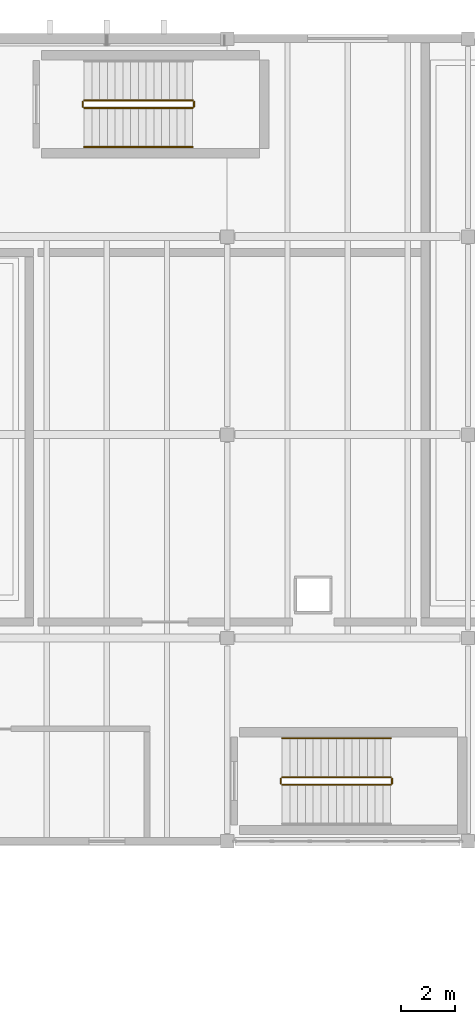
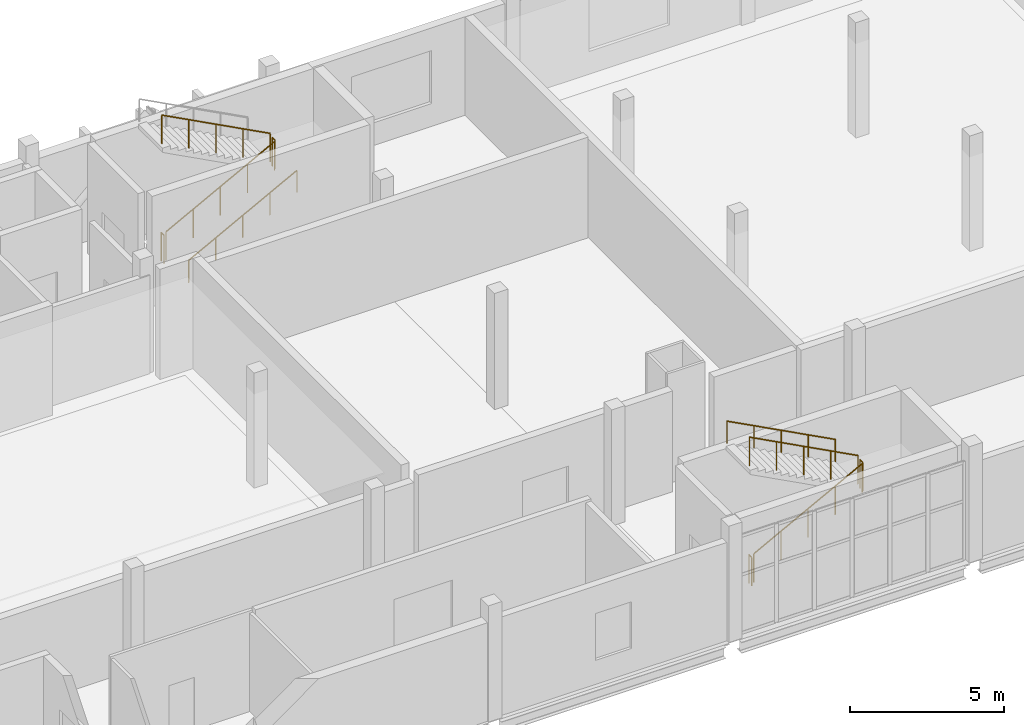
# One storey, part 73 of 74: 10 railings.
"""IFC4 building model written with IfcOpenShell, lengths in metres."""

from ifc_helpers import new_model, si_unit, direction, frame, origin, origin_2d, place, context, subcontext, project, spatial, circle, extrude, material, type_object, element, save


model = new_model("IFC4")

# Units and contexts
model_context = context("Model", 3, precision=1e-05, world=origin(), true_north=direction((0.0, 1.0)))
body_context = subcontext(model_context, "Body", "Model", "MODEL_VIEW")
ifc_project = project(units=[si_unit("LENGTHUNIT", "METRE"), si_unit("AREAUNIT", "SQUARE_METRE"), si_unit("VOLUMEUNIT", "CUBIC_METRE"), si_unit("PLANEANGLEUNIT", "RADIAN"), si_unit("MASSUNIT", "GRAM", prefix="KILO")], contexts=[model_context])

# Site, building, storey
site_placement = place(None, origin())
site = spatial("IfcSite", under=ifc_project, at=site_placement, CompositionType="ELEMENT")
building_placement = place(site_placement, origin())
building = spatial("IfcBuilding", under=site, at=building_placement, Name="Shengluoqiao Park Theatre", CompositionType="ELEMENT")
storey_placement = place(building_placement, frame((0.0, 0.0, 14.60009765625)))
storey = spatial("IfcBuildingStorey", under=building, at=storey_placement, Name="L03", CompositionType="ELEMENT", Elevation=14.60009765625)

# Railings
ifc_material_1 = material(Name="Painted steel", Category="steel")
railing_type_1 = type_object("IfcRailingType", Name="INT-RL-STGRD", PredefinedType="GUARDRAIL", material=ifc_material_1)
railing_1_placement = place(storey_placement, frame((134.050048828125, 111.409912109375, 0.1533203125)))
element("IfcRailing", 1, at=railing_1_placement, inside=storey, type_object=railing_type_1, Name="L03 ST-06 stair guard 1", PredefinedType="GUARDRAIL", context=body_context, shape_type="SweptSolid", body=[
    extrude(circle(Radius=0.02392578125, at=origin_2d()), frame((0.0, 0.0, 1.1259765625), z_axis=(0.884054148832, 0.0, 0.467384490471), x_axis=(0.0, 1.0, 0.0)), (0.0, 0.0, 1.0), 4.592529296875),
    extrude(circle(Radius=0.02099609375, at=origin_2d()), origin(), (0.0, 0.0, 1.0), 1.101806640625),
    extrude(circle(Radius=0.02099609375, at=origin_2d()), frame((1.01513671875, 0.0, 0.53662109375)), (0.0, 0.0, 1.0), 1.101806640625),
    extrude(circle(Radius=0.02099609375, at=origin_2d()), frame((2.030029296875, 0.0, 1.0732421875)), (0.0, 0.0, 1.0), 1.101806640625),
    extrude(circle(Radius=0.02099609375, at=origin_2d()), frame((3.044921875, 0.0, 1.60986328125)), (0.0, 0.0, 1.0), 1.101806640625),
    extrude(circle(Radius=0.02099609375, at=origin_2d()), frame((4.06005859375, 0.0, 2.146484375)), (0.0, 0.0, 1.0), 1.101806640625),
])
railing_2_placement = place(storey_placement, frame((138.159912109375, 111.4599609375, 2.2998046875)))
element("IfcRailing", 2, at=railing_2_placement, inside=storey, type_object=railing_type_1, Name="L03 ST-06 stair guard 2", PredefinedType="GUARDRAIL", context=body_context, shape_type="SweptSolid", body=[
    extrude(circle(Radius=0.02392578125, at=origin_2d()), frame((0.0, 0.0, 1.1259765625), z_axis=(0.0, 1.0, 0.0), x_axis=(-1.0, 0.0, 0.0)), (0.0, 0.0, 1.0), 0.179931640625),
    extrude(circle(Radius=0.02099609375, at=origin_2d()), origin(), (0.0, 0.0, 1.0), 1.101806640625),
    extrude(circle(Radius=0.02099609375, at=origin_2d()), frame((0.0, 0.179931640625, 0.0)), (0.0, 0.0, 1.0), 1.101806640625),
])
railing_3_placement = place(storey_placement, frame((138.110107421875, 111.68994140625, 2.453125)))
element("IfcRailing", 3, at=railing_3_placement, inside=storey, type_object=railing_type_1, Name="L03 ST-06 stair guard 3", PredefinedType="GUARDRAIL", context=body_context, shape_type="SweptSolid", body=[
    extrude(circle(Radius=0.02392578125, at=origin_2d()), frame((0.0, 0.0, 1.1259765625), z_axis=(-0.884032182968, 0.0, 0.46742603637), x_axis=(0.0, -1.0, 0.0)), (0.0, 0.0, 1.0), 4.5927734375),
    extrude(circle(Radius=0.02099609375, at=origin_2d()), origin(), (0.0, 0.0, 1.0), 1.101806640625),
    extrude(circle(Radius=0.02099609375, at=origin_2d()), frame((-1.01513671875, 0.0, 0.53662109375)), (0.0, 0.0, 1.0), 1.101806640625),
    extrude(circle(Radius=0.02099609375, at=origin_2d()), frame((-2.030029296875, 0.0, 1.0732421875)), (0.0, 0.0, 1.0), 1.101806640625),
    extrude(circle(Radius=0.02099609375, at=origin_2d()), frame((-3.044921875, 0.0, 1.610107421875)), (0.0, 0.0, 1.0), 1.101806640625),
    extrude(circle(Radius=0.02099609375, at=origin_2d()), frame((-4.06005859375, 0.0, 2.146728515625)), (0.0, 0.0, 1.0), 1.101806640625),
])
railing_4_placement = place(storey_placement, frame((134.0, 111.4599609375, 0.0)))
element("IfcRailing", 4, at=railing_4_placement, inside=storey, type_object=railing_type_1, Name="L03 ST-06 stair guard 4", PredefinedType="GUARDRAIL", context=body_context, shape_type="SweptSolid", body=[
    extrude(circle(Radius=0.02392578125, at=origin_2d()), frame((0.0, 0.0, 1.1259765625), z_axis=(0.0, 1.0, 0.0), x_axis=(-1.0, 0.0, 0.0)), (0.0, 0.0, 1.0), 0.179931640625),
    extrude(circle(Radius=0.02099609375, at=origin_2d()), origin(), (0.0, 0.0, 1.0), 1.101806640625),
    extrude(circle(Radius=0.02099609375, at=origin_2d()), frame((0.0, 0.179931640625, 0.0)), (0.0, 0.0, 1.0), 1.101806640625),
])
railing_5_placement = place(storey_placement, frame((141.449951171875, 86.110107421875, 0.1533203125)))
element("IfcRailing", 5, at=railing_5_placement, inside=storey, type_object=railing_type_1, Name="L03 ST-10 stair guard 1", PredefinedType="GUARDRAIL", context=body_context, shape_type="SweptSolid", body=[
    extrude(circle(Radius=0.02392578125, at=origin_2d()), frame((0.0, 0.0, 1.1259765625), z_axis=(0.884054148832, 0.0, 0.467384490471), x_axis=(0.0, 1.0, 0.0)), (0.0, 0.0, 1.0), 4.592529296875),
    extrude(circle(Radius=0.02099609375, at=origin_2d()), origin(), (0.0, 0.0, 1.0), 1.101806640625),
    extrude(circle(Radius=0.02099609375, at=origin_2d()), frame((1.01513671875, 0.0, 0.53662109375)), (0.0, 0.0, 1.0), 1.101806640625),
    extrude(circle(Radius=0.02099609375, at=origin_2d()), frame((2.030029296875, 0.0, 1.0732421875)), (0.0, 0.0, 1.0), 1.101806640625),
    extrude(circle(Radius=0.02099609375, at=origin_2d()), frame((3.044921875, 0.0, 1.60986328125)), (0.0, 0.0, 1.0), 1.101806640625),
    extrude(circle(Radius=0.02099609375, at=origin_2d()), frame((4.06005859375, 0.0, 2.146484375)), (0.0, 0.0, 1.0), 1.101806640625),
])
railing_6_placement = place(storey_placement, frame((145.56005859375, 86.159912109375, 2.2998046875)))
element("IfcRailing", 6, at=railing_6_placement, inside=storey, type_object=railing_type_1, Name="L03 ST-10 stair guard 2", PredefinedType="GUARDRAIL", context=body_context, shape_type="SweptSolid", body=[
    extrude(circle(Radius=0.02392578125, at=origin_2d()), frame((0.0, 0.0, 1.1259765625), z_axis=(0.0, 1.0, 0.0), x_axis=(-1.0, 0.0, 0.0)), (0.0, 0.0, 1.0), 0.18017578125),
    extrude(circle(Radius=0.02099609375, at=origin_2d()), origin(), (0.0, 0.0, 1.0), 1.101806640625),
    extrude(circle(Radius=0.02099609375, at=origin_2d()), frame((0.0, 0.18017578125, 0.0)), (0.0, 0.0, 1.0), 1.101806640625),
])
railing_7_placement = place(storey_placement, frame((145.510009765625, 86.389892578125, 2.453125)))
element("IfcRailing", 7, at=railing_7_placement, inside=storey, type_object=railing_type_1, Name="L03 ST-10 stair guard 3", PredefinedType="GUARDRAIL", context=body_context, shape_type="SweptSolid", body=[
    extrude(circle(Radius=0.02392578125, at=origin_2d()), frame((0.0, 0.0, 1.1259765625), z_axis=(-0.884032182968, 0.0, 0.46742603637), x_axis=(0.0, -1.0, 0.0)), (0.0, 0.0, 1.0), 4.5927734375),
    extrude(circle(Radius=0.02099609375, at=origin_2d()), origin(), (0.0, 0.0, 1.0), 1.101806640625),
    extrude(circle(Radius=0.02099609375, at=origin_2d()), frame((-1.01513671875, 0.0, 0.53662109375)), (0.0, 0.0, 1.0), 1.101806640625),
    extrude(circle(Radius=0.02099609375, at=origin_2d()), frame((-2.030029296875, 0.0, 1.0732421875)), (0.0, 0.0, 1.0), 1.101806640625),
    extrude(circle(Radius=0.02099609375, at=origin_2d()), frame((-3.044921875, 0.0, 1.610107421875)), (0.0, 0.0, 1.0), 1.101806640625),
    extrude(circle(Radius=0.02099609375, at=origin_2d()), frame((-4.06005859375, 0.0, 2.146728515625)), (0.0, 0.0, 1.0), 1.101806640625),
])
railing_8_placement = place(storey_placement, frame((141.39990234375, 86.159912109375, 0.0)))
element("IfcRailing", 8, at=railing_8_placement, inside=storey, type_object=railing_type_1, Name="L03 ST-10 stair guard 4", PredefinedType="GUARDRAIL", context=body_context, shape_type="SweptSolid", body=[
    extrude(circle(Radius=0.02392578125, at=origin_2d()), frame((0.0, 0.0, 1.1259765625), z_axis=(0.0, 1.0, 0.0), x_axis=(-1.0, 0.0, 0.0)), (0.0, 0.0, 1.0), 0.18017578125),
    extrude(circle(Radius=0.02099609375, at=origin_2d()), origin(), (0.0, 0.0, 1.0), 1.101806640625),
    extrude(circle(Radius=0.02099609375, at=origin_2d()), frame((0.0, 0.18017578125, 0.0)), (0.0, 0.0, 1.0), 1.101806640625),
])
ifc_material_2 = material(Name="Stainless steel 304", Category="steel")
railing_type_2 = type_object("IfcRailingType", Name="INT-RL-STHR", PredefinedType="HANDRAIL", material=ifc_material_2)
railing_9_placement = place(storey_placement, frame((134.050048828125, 109.949951171875, 0.1533203125)))
element("IfcRailing", 9, at=railing_9_placement, inside=storey, type_object=railing_type_2, Name="L03 ST-06 stair handrail 1", PredefinedType="HANDRAIL", context=body_context, shape_type="SweptSolid", body=[
    extrude(circle(Radius=0.02392578125, at=origin_2d()), frame((0.0, 0.0, 0.8759765625), z_axis=(0.884054148832, 0.0, 0.467384490471), x_axis=(0.0, 1.0, 0.0)), (0.0, 0.0, 1.0), 4.592529296875),
    extrude(circle(Radius=0.02099609375, at=origin_2d()), origin(), (0.0, 0.0, 1.0), 0.851806640625),
    extrude(circle(Radius=0.02099609375, at=origin_2d()), frame((1.01513671875, 0.0, 0.53662109375)), (0.0, 0.0, 1.0), 0.851806640625),
    extrude(circle(Radius=0.02099609375, at=origin_2d()), frame((2.030029296875, 0.0, 1.0732421875)), (0.0, 0.0, 1.0), 0.851806640625),
    extrude(circle(Radius=0.02099609375, at=origin_2d()), frame((3.044921875, 0.0, 1.60986328125)), (0.0, 0.0, 1.0), 0.851806640625),
    extrude(circle(Radius=0.02099609375, at=origin_2d()), frame((4.06005859375, 0.0, 2.146484375)), (0.0, 0.0, 1.0), 0.851806640625),
])
railing_10_placement = place(storey_placement, frame((145.510009765625, 87.85009765625, 2.453125)))
element("IfcRailing", 10, at=railing_10_placement, inside=storey, type_object=railing_type_2, Name="L03 ST-10 stair handrail 2", PredefinedType="HANDRAIL", context=body_context, shape_type="SweptSolid", body=[
    extrude(circle(Radius=0.02392578125, at=origin_2d()), frame((0.0, 0.0, 0.8759765625), z_axis=(-0.884032182968, 0.0, 0.46742603637), x_axis=(0.0, -1.0, 0.0)), (0.0, 0.0, 1.0), 4.5927734375),
    extrude(circle(Radius=0.02099609375, at=origin_2d()), origin(), (0.0, 0.0, 1.0), 0.851806640625),
    extrude(circle(Radius=0.02099609375, at=origin_2d()), frame((-1.01513671875, 0.0, 0.53662109375)), (0.0, 0.0, 1.0), 0.851806640625),
    extrude(circle(Radius=0.02099609375, at=origin_2d()), frame((-2.030029296875, 0.0, 1.0732421875)), (0.0, 0.0, 1.0), 0.851806640625),
    extrude(circle(Radius=0.02099609375, at=origin_2d()), frame((-3.044921875, 0.0, 1.610107421875)), (0.0, 0.0, 1.0), 0.851806640625),
    extrude(circle(Radius=0.02099609375, at=origin_2d()), frame((-4.06005859375, 0.0, 2.146728515625)), (0.0, 0.0, 1.0), 0.851806640625),
])

save(model, "model.ifc")
